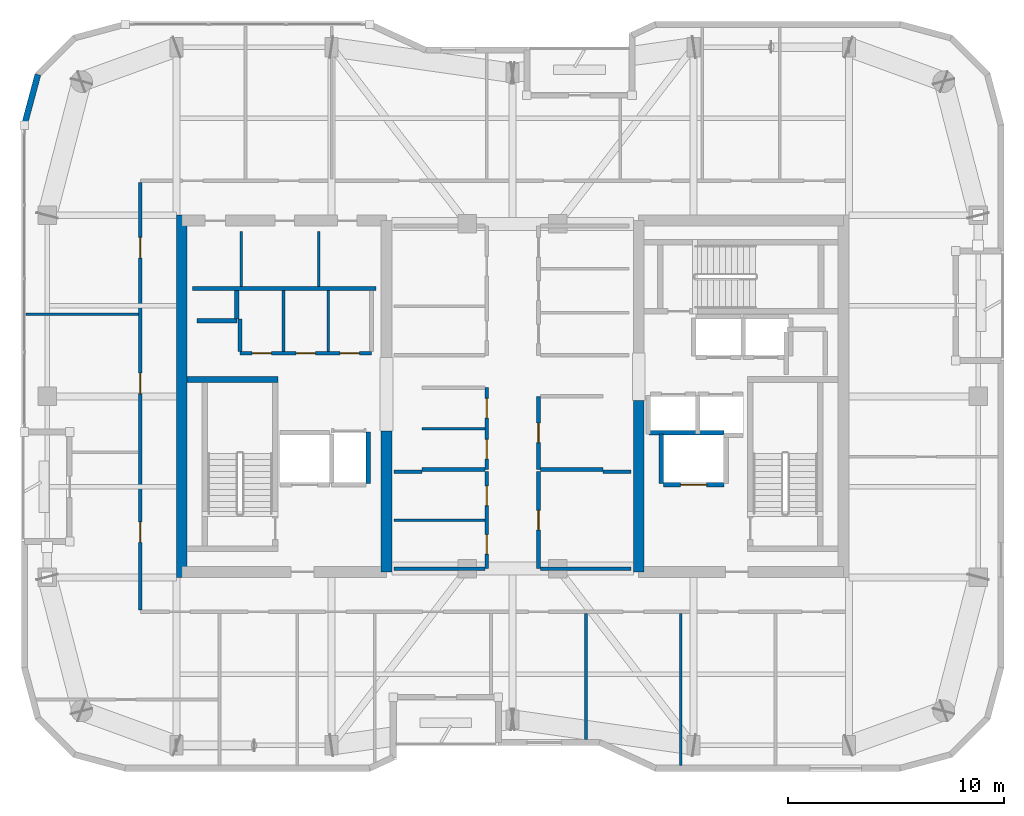
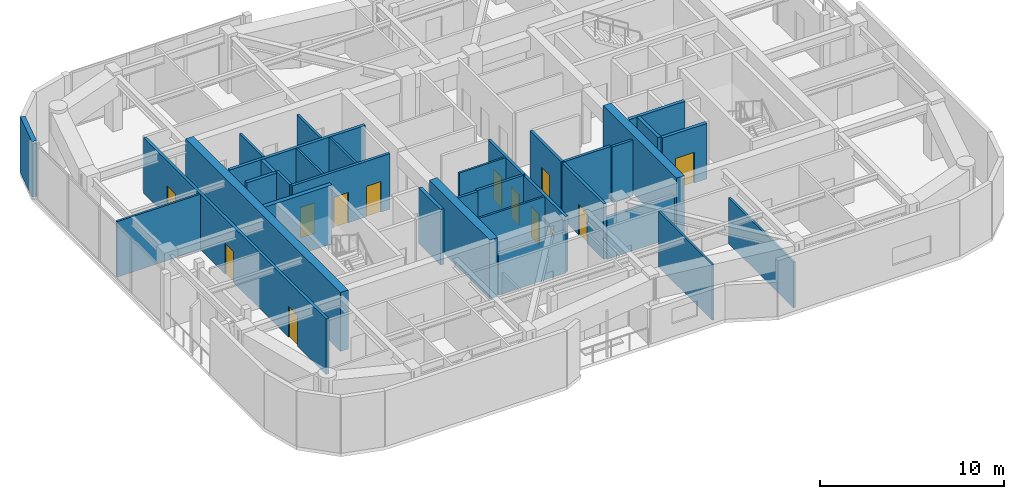
# One storey, part 11 of 16: 34 walls, 13 doors, 13 openings.
"""IFC4 building model written with IfcOpenShell, lengths in metres."""

from ifc_helpers import new_model, si_unit, direction, frame, frame_2d, origin, place, context, subcontext, project, spatial, rectangle, extrude, material, layer, layer_set, type_object, element, fill, save


model = new_model("IFC4")

# Units and contexts
model_context = context("Model", 3, precision=1e-05, world=origin(), true_north=direction((0.0, 1.0)))
body_context = subcontext(model_context, "Body", "Model", "MODEL_VIEW")
ifc_project = project(units=[si_unit("LENGTHUNIT", "METRE"), si_unit("AREAUNIT", "SQUARE_METRE"), si_unit("VOLUMEUNIT", "CUBIC_METRE"), si_unit("PLANEANGLEUNIT", "RADIAN"), si_unit("MASSUNIT", "GRAM", prefix="KILO")], contexts=[model_context])

# Site, building, storey
site_placement = place(None, origin())
site = spatial("IfcSite", under=ifc_project, at=site_placement, CompositionType="ELEMENT")
building_placement = place(site_placement, origin())
building = spatial("IfcBuilding", under=site, at=building_placement, Name="Kiyonajd Concourse Tower", CompositionType="ELEMENT")
storey_placement = place(building_placement, frame((0.0, 0.0, 306.300048828125)))
storey = spatial("IfcBuildingStorey", under=building, at=storey_placement, Name="L77", CompositionType="ELEMENT", Elevation=306.300048828125)

# Walls
ifc_material_1 = material(Name="Concrete C60/75", Category="concrete")
ifc_layer_1 = layer(ifc_material_1, 0.5)
ifc_layer_set_1 = layer_set([ifc_layer_1], Name="Concrete C60/75")
wall_type_1 = type_object("IfcWallType", Name="WL-CORE-500", PredefinedType="SHEAR", material=ifc_layer_set_1)
wall_1_placement = place(storey_placement, frame((32.64990234375, 27.60009765625, 0.0), z_axis=(0.0, 0.0, 1.0), x_axis=(0.0, 1.0, 0.0)))
element("IfcWall", 1, at=wall_1_placement, inside=storey, type_object=wall_type_1, Name="L77 West Core Outer Shear Wall", PredefinedType="SHEAR", context=body_context, shape_type="SweptSolid", body=[
    extrude(rectangle(XDim=16.7998046875, YDim=0.5, at=frame_2d((8.39990234375, 0.0))), origin(), (0.0, 0.0, 1.0), 3.89990234375),
])
wall_2_placement = place(storey_placement, frame((42.14990234375, 27.85009765625, 0.0), z_axis=(0.0, 0.0, 1.0), x_axis=(0.0, 1.0, 0.0)))
element("IfcWall", 2, at=wall_2_placement, inside=storey, type_object=wall_type_1, Name="L77 West Core Inner South Shear Wall", PredefinedType="SHEAR", context=body_context, shape_type="SweptSolid", body=[
    extrude(rectangle(XDim=6.5498046875, YDim=0.5, at=frame_2d((3.27490234375, 0.0))), origin(), (0.0, 0.0, 1.0), 3.89990234375),
])
wall_3_placement = place(storey_placement, frame((53.85009765625, 27.85009765625, 0.0), z_axis=(0.0, 0.0, 1.0), x_axis=(0.0, 1.0, 0.0)))
element("IfcWall", 3, at=wall_3_placement, inside=storey, type_object=wall_type_1, Name="L77 East Core Inner South Shear Wall", PredefinedType="SHEAR", context=body_context, shape_type="SweptSolid", body=[
    extrude(rectangle(XDim=7.949951171875, YDim=0.5, at=frame_2d((3.97509765625, 0.0))), origin(), (0.0, 0.0, 1.0), 3.89990234375),
])
ifc_material_2 = material(Name="Precast concrete C50/60", Category="concrete")
ifc_layer_2 = layer(ifc_material_2, 0.280029296875)
ifc_layer_set_2 = layer_set([ifc_layer_2], Name="Precast concrete C50/60")
wall_type_2 = type_object("IfcWallType", Name="WL-EXT-280", PredefinedType="SOLIDWALL", material=ifc_layer_set_2)
wall_4_placement = place(storey_placement, frame((25.340087890625, 48.58154296875, 0.0), z_axis=(0.0, 0.0, 1.0), x_axis=(0.258751159445, 0.965944013639, 0.0)))
element("IfcWall", 4, at=wall_4_placement, inside=storey, type_object=wall_type_2, Name="L77 Exterior Concrete Frame Wall 06", PredefinedType="SOLIDWALL", context=body_context, shape_type="SweptSolid", body=[
    extrude(rectangle(XDim=2.4287109375, YDim=0.280029296875, at=frame_2d((1.21435546875, 0.0))), origin(), (0.0, 0.0, 1.0), 3.679931640625),
])
ifc_material_3 = material(Name="Gypsum Board on Cold-Formed Steel Stud", Category="steel")
ifc_layer_3 = layer(ifc_material_3, 0.125)
ifc_layer_set_3 = layer_set([ifc_layer_3], Name="Gypsum Board on Cold-Formed Steel Stud")
wall_type_3 = type_object("IfcWallType", Name="WL-PART-125", PredefinedType="PARTITIONING", material=ifc_layer_set_3)
for number, where, z_axis, x_axis, name in (
    (5, (35.39990234375, 41.094970703125, 0.0), (0.0, 0.0, 1.0), (0.0, 1.0, 0.0), "L77 Interior Partition Wall"),
    (6, (39.0, 41.094970703125, 0.0), (0.0, 0.0, 1.0), (0.0, 1.0, 0.0), "L77 Interior Partition Wall"),
):
    element("IfcWall", number, at=place(storey_placement, frame(where, z_axis=z_axis, x_axis=x_axis)), inside=storey, type_object=wall_type_3, Name=name, PredefinedType="PARTITIONING", context=body_context, shape_type="SweptSolid", body=[
        extrude(rectangle(XDim=2.554931640625, YDim=0.125, at=frame_2d((1.27734375, 0.0))), origin(), (0.0, 0.0, 1.0), 3.679931640625),
    ])
for number, where, z_axis, x_axis, name in (
    (7, (37.363037109375, 38.0869140625, 0.0), (0.0, 0.0, 1.0), (0.0, 1.0, 0.0), "L77 Interior Partition Wall"),
    (8, (39.43701171875, 38.0869140625, 0.0), (0.0, 0.0, 1.0), (0.0, 1.0, 0.0), "L77 Interior Partition Wall"),
):
    element("IfcWall", number, at=place(storey_placement, frame(where, z_axis=z_axis, x_axis=x_axis)), inside=storey, type_object=wall_type_3, Name=name, PredefinedType="PARTITIONING", context=body_context, shape_type="SweptSolid", body=[
        extrude(rectangle(XDim=2.81298828125, YDim=0.125, at=frame_2d((1.406494140625, 0.0))), origin(), (0.0, 0.0, 1.0), 3.679931640625),
    ])
wall_5_placement = place(storey_placement, frame((43.800048828125, 34.5, 0.0), z_axis=(0.0, 0.0, 1.0), x_axis=(1.0, 0.0, 0.0)))
element("IfcWall", 9, at=wall_5_placement, inside=storey, type_object=wall_type_3, Name="L77 Interior Partition Wall", PredefinedType="PARTITIONING", context=body_context, shape_type="SweptSolid", body=[
    extrude(rectangle(XDim=2.912841796875, YDim=0.125, at=frame_2d((1.45654296875, 0.0))), origin(), (0.0, 0.0, 1.0), 3.679931640625),
])
wall_6_placement = place(storey_placement, frame((42.5, 30.25, 0.0), z_axis=(0.0, 0.0, 1.0), x_axis=(1.0, 0.0, 0.0)))
element("IfcWall", 10, at=wall_6_placement, inside=storey, type_object=wall_type_3, Name="L77 Interior Partition Wall", PredefinedType="PARTITIONING", context=body_context, shape_type="SweptSolid", body=[
    extrude(rectangle(XDim=4.212890625, YDim=0.125, at=frame_2d((2.1064453125, 0.0))), origin(), (0.0, 0.0, 1.0), 3.679931640625),
])
wall_7_placement = place(storey_placement, frame((51.39990234375, 20.074951171875, 0.0), z_axis=(0.0, 0.0, 1.0), x_axis=(0.0, 1.0, 0.0)))
element("IfcWall", 11, at=wall_7_placement, inside=storey, type_object=wall_type_3, Name="L77 Interior Partition Wall", PredefinedType="PARTITIONING", context=body_context, shape_type="SweptSolid", body=[
    extrude(rectangle(XDim=5.838134765625, YDim=0.125, at=frame_2d((2.9189453125, 0.0))), origin(), (0.0, 0.0, 1.0), 3.679931640625),
])
wall_8_placement = place(storey_placement, frame((55.800048828125, 18.875, 0.0), z_axis=(0.0, 0.0, 1.0), x_axis=(0.0, 1.0, 0.0)))
element("IfcWall", 12, at=wall_8_placement, inside=storey, type_object=wall_type_3, Name="L77 Interior Partition Wall", PredefinedType="PARTITIONING", context=body_context, shape_type="SweptSolid", body=[
    extrude(rectangle(XDim=7.0380859375, YDim=0.125, at=frame_2d((3.51904296875, 0.0))), origin(), (0.0, 0.0, 1.0), 3.04296875),
])
wall_9_placement = place(storey_placement, frame((25.425048828125, 39.800048828125, 0.0), z_axis=(0.0, 0.0, 1.0), x_axis=(1.0, 0.0, 0.0)))
element("IfcWall", 13, at=wall_9_placement, inside=storey, type_object=wall_type_3, Name="L77 Interior Partition Wall", PredefinedType="PARTITIONING", context=body_context, shape_type="SweptSolid", body=[
    extrude(rectangle(XDim=5.212890625, YDim=0.125, at=frame_2d((2.6064453125, 0.0))), origin(), (0.0, 0.0, 1.0), 3.679931640625),
])
ifc_layer_4 = layer(ifc_material_3, 0.18994140625)
ifc_layer_set_4 = layer_set([ifc_layer_4], Name="Gypsum Board on Cold-Formed Steel Stud")
wall_type_4 = type_object("IfcWallType", Name="WL-PLMB-190", PredefinedType="PLUMBINGWALL", material=ifc_layer_set_4)
wall_10_placement = place(storey_placement, frame((33.14990234375, 41.0, 0.0), z_axis=(0.0, 0.0, 1.0), x_axis=(1.0, 0.0, 0.0)))
element("IfcWall", 14, at=wall_10_placement, inside=storey, type_object=wall_type_4, Name="L77 Interior Partition Wall", PredefinedType="PLUMBINGWALL", context=body_context, shape_type="SweptSolid", body=[
    extrude(rectangle(XDim=8.5, YDim=0.18994140625, at=frame_2d((4.25, 0.0))), origin(), (0.0, 0.0, 1.0), 3.679931640625),
])
ifc_layer_5 = layer(ifc_material_3, 0.2099609375)
ifc_layer_set_5 = layer_set([ifc_layer_5], Name="Gypsum Board on Cold-Formed Steel Stud")
wall_type_5 = type_object("IfcWallType", Name="WL-SHAFT-210", PredefinedType="PARTITIONING", material=ifc_layer_set_5)
wall_11_placement = place(storey_placement, frame((33.360107421875, 39.5, 0.0), z_axis=(0.0, 0.0, 1.0), x_axis=(1.0, 0.0, 0.0)))
element("IfcWall", 15, at=wall_11_placement, inside=storey, type_object=wall_type_5, Name="L77 Shaft Enclosure Wall", PredefinedType="PARTITIONING", context=body_context, shape_type="SweptSolid", body=[
    extrude(rectangle(XDim=1.85986328125, YDim=0.2099609375, at=frame_2d((0.929931640625, 0.0))), origin(), (0.0, 0.0, 1.0), 3.679931640625),
])
wall_12_placement = place(storey_placement, frame((35.199951171875, 39.580078125, 0.0), z_axis=(0.0, 0.0, 1.0), x_axis=(0.0, 1.0, 0.0)))
element("IfcWall", 16, at=wall_12_placement, inside=storey, type_object=wall_type_5, Name="L77 Shaft Enclosure Wall", PredefinedType="PARTITIONING", context=body_context, shape_type="SweptSolid", body=[
    extrude(rectangle(XDim=1.31982421875, YDim=0.2099609375, at=frame_2d((0.659912109375, 0.0))), origin(), (0.0, 0.0, 1.0), 3.679931640625),
])

# Wall, opening, door
wall_13_placement = place(storey_placement, frame((55.0, 31.89990234375, 0.0), z_axis=(0.0, 0.0, 1.0), x_axis=(1.0, 0.0, 0.0)))
wall_13 = element("IfcWall", 17, at=wall_13_placement, inside=storey, type_object=wall_type_5, Name="L77 Shaft Enclosure Wall", PredefinedType="PARTITIONING", context=body_context, shape_type="SweptSolid", body=[
    extrude(rectangle(XDim=2.800048828125, YDim=0.2099609375, at=frame_2d((1.39990234375, 0.0))), origin(), (0.0, 0.0, 1.0), 3.679931640625),
])
opening_1_placement = place(wall_13_placement, frame((0.800048828125, 0.0, 0.0)))
opening_1 = element("IfcOpeningElement", 18, at=opening_1_placement, cuts=wall_13, Name="Opening LD2", PredefinedType="OPENING", context=body_context, shape_type="SweptSolid", body=[
    extrude(rectangle(XDim=1.199951171875, YDim=2.0400390625, at=frame_2d((0.60009765625, 1.02001953125))), frame((0.0, 0.114990234375, 0.0), z_axis=(0.0, -1.0, 0.0), x_axis=(1.0, 0.0, 0.0)), (0.0, 0.0, 1.0), 0.22998046875),
])
ifc_material_4 = material(Name="Brushed Stainless Steel Cab Assembly", Category="steel")
door_type_1 = type_object("IfcDoorType", Name="DR-LD-1200", OperationType="DOUBLE_DOOR_SLIDING", PredefinedType="DOOR", material=ifc_material_4)
door_1_placement = place(opening_1_placement, origin())
door_1 = element("IfcDoor", 19, at=door_1_placement, inside=storey, type_object=door_type_1, Name="L77 Lift FFL2 Sliding Landing Door", OperationType="DOUBLE_DOOR_SLIDING", OverallHeight=2.0400390625, OverallWidth=1.199951171875, PredefinedType="DOOR", context=body_context, shape_type="SweptSolid", body=[
    extrude(rectangle(XDim=1.199951171875, YDim=2.0400390625, at=frame_2d((0.60009765625, 1.02001953125))), frame((0.0, 0.02490234375, 0.0), z_axis=(0.0, -1.0, 0.0), x_axis=(1.0, 0.0, 0.0)), (0.0, 0.0, 1.0), 0.050048828125),
])
fill(opening_1, door_1)

# Walls
wall_14_placement = place(storey_placement, frame((54.320068359375, 34.300048828125, 0.0), z_axis=(0.0, 0.0, 1.0), x_axis=(1.0, 0.0, 0.0)))
element("IfcWall", 20, at=wall_14_placement, inside=storey, type_object=wall_type_5, Name="L77 Shaft Enclosure Wall", PredefinedType="PARTITIONING", context=body_context, shape_type="SweptSolid", body=[
    extrude(rectangle(XDim=3.47998046875, YDim=0.2099609375, at=frame_2d((1.739990234375, 0.0))), origin(), (0.0, 0.0, 1.0), 3.679931640625),
])
wall_15_placement = place(storey_placement, frame((54.89990234375, 31.9599609375, 0.0), z_axis=(0.0, 0.0, 1.0), x_axis=(0.0, 1.0, 0.0)))
element("IfcWall", 21, at=wall_15_placement, inside=storey, type_object=wall_type_5, Name="L77 Shaft Enclosure Wall", PredefinedType="PARTITIONING", context=body_context, shape_type="SweptSolid", body=[
    extrude(rectangle(XDim=2.280029296875, YDim=0.2099609375, at=frame_2d((1.14013671875, 0.0))), origin(), (0.0, 0.0, 1.0), 3.679931640625),
])
wall_16_placement = place(storey_placement, frame((41.300048828125, 31.9599609375, 0.0), z_axis=(0.0, 0.0, 1.0), x_axis=(0.0, 1.0, 0.0)))
element("IfcWall", 22, at=wall_16_placement, inside=storey, type_object=wall_type_5, Name="L77 Shaft Enclosure Wall", PredefinedType="PARTITIONING", context=body_context, shape_type="SweptSolid", body=[
    extrude(rectangle(XDim=2.380126953125, YDim=0.2099609375, at=frame_2d((1.18994140625, 0.0))), origin(), (0.0, 0.0, 1.0), 3.679931640625),
])

# Wall, openings, doors
ifc_layer_6 = layer(ifc_material_3, 0.169921875)
ifc_layer_set_6 = layer_set([ifc_layer_6], Name="Gypsum Board on Cold-Formed Steel Stud")
wall_type_6 = type_object("IfcWallType", Name="WL-SMK-170", PredefinedType="PARTITIONING", material=ifc_layer_set_6)
wall_17_placement = place(storey_placement, frame((35.35009765625, 38.0, 0.0), z_axis=(0.0, 0.0, 1.0), x_axis=(1.0, 0.0, 0.0)))
wall_17 = element("IfcWall", 23, at=wall_17_placement, inside=storey, type_object=wall_type_6, Name="L77 Interior Partition Wall", PredefinedType="PARTITIONING", context=body_context, shape_type="SweptSolid", body=[
    extrude(rectangle(XDim=6.099853515625, YDim=0.169921875, at=frame_2d((3.0498046875, 0.0))), origin(), (0.0, 0.0, 1.0), 3.679931640625),
])
opening_2_placement = place(wall_17_placement, frame((0.555908203125, 0.0, 0.0)))
opening_2 = element("IfcOpeningElement", 24, at=opening_2_placement, cuts=wall_17, Name="Opening DI2", PredefinedType="OPENING", context=body_context, shape_type="SweptSolid", body=[
    extrude(rectangle(XDim=0.89990234375, YDim=2.02001953125, at=frame_2d((0.449951171875, 1.010009765625))), frame((0.0, 0.094970703125, 0.0), z_axis=(0.0, -1.0, 0.0), x_axis=(1.0, 0.0, 0.0)), (0.0, 0.0, 1.0), 0.18994140625),
])
opening_3_placement = place(wall_17_placement, frame((2.60009765625, 0.0, 0.0)))
opening_3 = element("IfcOpeningElement", 25, at=opening_3_placement, cuts=wall_17, Name="Opening DI2", PredefinedType="OPENING", context=body_context, shape_type="SweptSolid", body=[
    extrude(rectangle(XDim=0.89990234375, YDim=2.02001953125, at=frame_2d((0.449951171875, 1.010009765625))), frame((0.0, 0.094970703125, 0.0), z_axis=(0.0, -1.0, 0.0), x_axis=(1.0, 0.0, 0.0)), (0.0, 0.0, 1.0), 0.18994140625),
])
opening_4_placement = place(wall_17_placement, frame((4.64306640625, 0.0, 0.0)))
opening_4 = element("IfcOpeningElement", 26, at=opening_4_placement, cuts=wall_17, Name="Opening DI2", PredefinedType="OPENING", context=body_context, shape_type="SweptSolid", body=[
    extrude(rectangle(XDim=0.89990234375, YDim=2.02001953125, at=frame_2d((0.449951171875, 1.010009765625))), frame((0.0, 0.094970703125, 0.0), z_axis=(0.0, -1.0, 0.0), x_axis=(1.0, 0.0, 0.0)), (0.0, 0.0, 1.0), 0.18994140625),
])
ifc_material_5 = material(Name="Natural Oak Acoustic Timber Veneer", Category="wood")
door_type_2 = type_object("IfcDoorType", Name="DR-INT-900", OperationType="NOTDEFINED", PredefinedType="DOOR", material=ifc_material_5)
door_2_placement = place(opening_2_placement, origin())
door_2 = element("IfcDoor", 27, at=door_2_placement, inside=storey, type_object=door_type_2, Name="L77 Interior Door", OperationType="SINGLE_SWING_LEFT", OverallHeight=2.02001953125, OverallWidth=0.89990234375, PredefinedType="DOOR", context=body_context, shape_type="SweptSolid", body=[
    extrude(rectangle(XDim=0.89990234375, YDim=2.02001953125, at=frame_2d((0.449951171875, 1.010009765625))), frame((0.0, 0.02490234375, 0.0), z_axis=(0.0, -1.0, 0.0), x_axis=(1.0, 0.0, 0.0)), (0.0, 0.0, 1.0), 0.050048828125),
])
fill(opening_2, door_2)
door_3_placement = place(opening_3_placement, origin())
door_3 = element("IfcDoor", 28, at=door_3_placement, inside=storey, type_object=door_type_2, Name="L77 Interior Door", OperationType="SINGLE_SWING_RIGHT", OverallHeight=2.02001953125, OverallWidth=0.89990234375, PredefinedType="DOOR", context=body_context, shape_type="SweptSolid", body=[
    extrude(rectangle(XDim=0.89990234375, YDim=2.02001953125, at=frame_2d((0.449951171875, 1.010009765625))), frame((0.0, 0.02490234375, 0.0), z_axis=(0.0, -1.0, 0.0), x_axis=(1.0, 0.0, 0.0)), (0.0, 0.0, 1.0), 0.050048828125),
])
fill(opening_3, door_3)
door_4_placement = place(opening_4_placement, origin())
door_4 = element("IfcDoor", 29, at=door_4_placement, inside=storey, type_object=door_type_2, Name="L77 Interior Door", OperationType="SINGLE_SWING_LEFT", OverallHeight=2.02001953125, OverallWidth=0.89990234375, PredefinedType="DOOR", context=body_context, shape_type="SweptSolid", body=[
    extrude(rectangle(XDim=0.89990234375, YDim=2.02001953125, at=frame_2d((0.449951171875, 1.010009765625))), frame((0.0, 0.02490234375, 0.0), z_axis=(0.0, -1.0, 0.0), x_axis=(1.0, 0.0, 0.0)), (0.0, 0.0, 1.0), 0.050048828125),
])
fill(opening_4, door_4)

# Wall
wall_18_placement = place(storey_placement, frame((35.35009765625, 38.0869140625, 0.0), z_axis=(0.0, 0.0, 1.0), x_axis=(0.0, 1.0, 0.0)))
element("IfcWall", 30, at=wall_18_placement, inside=storey, type_object=wall_type_6, Name="L77 Interior Partition Wall", PredefinedType="PARTITIONING", context=body_context, shape_type="SweptSolid", body=[
    extrude(rectangle(XDim=1.4931640625, YDim=0.169921875, at=frame_2d((0.74658203125, 0.0))), origin(), (0.0, 0.0, 1.0), 3.679931640625),
])

# Wall, openings, doors
wall_19_placement = place(storey_placement, frame((46.800048828125, 32.60009765625, 0.0), z_axis=(0.0, 0.0, 1.0), x_axis=(0.0, 1.0, 0.0)))
wall_19 = element("IfcWall", 31, at=wall_19_placement, inside=storey, type_object=wall_type_6, Name="L77 Interior Partition Wall", PredefinedType="PARTITIONING", context=body_context, shape_type="SweptSolid", body=[
    extrude(rectangle(XDim=3.7998046875, YDim=0.169921875, at=frame_2d((1.89990234375, 0.0))), origin(), (0.0, 0.0, 1.0), 3.679931640625),
])
opening_5_placement = place(wall_19_placement, frame((0.5, 0.0, 0.0)))
opening_5 = element("IfcOpeningElement", 32, at=opening_5_placement, cuts=wall_19, Name="Opening DI2", PredefinedType="OPENING", context=body_context, shape_type="SweptSolid", body=[
    extrude(rectangle(XDim=0.89990234375, YDim=2.02001953125, at=frame_2d((0.449951171875, 1.010009765625))), frame((0.0, 0.094970703125, 0.0), z_axis=(0.0, -1.0, 0.0), x_axis=(1.0, 0.0, 0.0)), (0.0, 0.0, 1.0), 0.18994140625),
])
opening_6_placement = place(wall_19_placement, frame((2.39990234375, 0.0, 0.0)))
opening_6 = element("IfcOpeningElement", 33, at=opening_6_placement, cuts=wall_19, Name="Opening DI2", PredefinedType="OPENING", context=body_context, shape_type="SweptSolid", body=[
    extrude(rectangle(XDim=0.89990234375, YDim=2.02001953125, at=frame_2d((0.449951171875, 1.010009765625))), frame((0.0, 0.094970703125, 0.0), z_axis=(0.0, -1.0, 0.0), x_axis=(1.0, 0.0, 0.0)), (0.0, 0.0, 1.0), 0.18994140625),
])
door_5_placement = place(opening_5_placement, origin())
door_5 = element("IfcDoor", 34, at=door_5_placement, inside=storey, type_object=door_type_2, Name="L77 Interior Door", OperationType="SINGLE_SWING_RIGHT", OverallHeight=2.02001953125, OverallWidth=0.89990234375, PredefinedType="DOOR", context=body_context, shape_type="SweptSolid", body=[
    extrude(rectangle(XDim=0.89990234375, YDim=2.02001953125, at=frame_2d((0.449951171875, 1.010009765625))), frame((0.0, 0.02490234375, 0.0), z_axis=(0.0, -1.0, 0.0), x_axis=(1.0, 0.0, 0.0)), (0.0, 0.0, 1.0), 0.050048828125),
])
fill(opening_5, door_5)
door_6_placement = place(opening_6_placement, origin())
door_6 = element("IfcDoor", 35, at=door_6_placement, inside=storey, type_object=door_type_2, Name="L77 Interior Door", OperationType="SINGLE_SWING_LEFT", OverallHeight=2.02001953125, OverallWidth=0.89990234375, PredefinedType="DOOR", context=body_context, shape_type="SweptSolid", body=[
    extrude(rectangle(XDim=0.89990234375, YDim=2.02001953125, at=frame_2d((0.449951171875, 1.010009765625))), frame((0.0, 0.02490234375, 0.0), z_axis=(0.0, -1.0, 0.0), x_axis=(1.0, 0.0, 0.0)), (0.0, 0.0, 1.0), 0.050048828125),
])
fill(opening_6, door_6)

# Wall
wall_20_placement = place(storey_placement, frame((43.800048828125, 32.60009765625, 0.0), z_axis=(0.0, 0.0, 1.0), x_axis=(1.0, 0.0, 0.0)))
element("IfcWall", 36, at=wall_20_placement, inside=storey, type_object=wall_type_6, Name="L77 Interior Partition Wall", PredefinedType="PARTITIONING", context=body_context, shape_type="SweptSolid", body=[
    extrude(rectangle(XDim=2.912841796875, YDim=0.169921875, at=frame_2d((1.45654296875, 0.0))), origin(), (0.0, 0.0, 1.0), 3.679931640625),
])

# Wall, opening, door
wall_21_placement = place(storey_placement, frame((49.199951171875, 32.60009765625, 0.0), z_axis=(0.0, 0.0, 1.0), x_axis=(0.0, 1.0, 0.0)))
wall_21 = element("IfcWall", 37, at=wall_21_placement, inside=storey, type_object=wall_type_6, Name="L77 Interior Partition Wall", PredefinedType="PARTITIONING", context=body_context, shape_type="SweptSolid", body=[
    extrude(rectangle(XDim=3.39990234375, YDim=0.169921875, at=frame_2d((1.699951171875, 0.0))), origin(), (0.0, 0.0, 1.0), 3.679931640625),
])
opening_7_placement = place(wall_21_placement, frame((1.25, 0.0, 0.0)))
opening_7 = element("IfcOpeningElement", 38, at=opening_7_placement, cuts=wall_21, Name="Opening DI2", PredefinedType="OPENING", context=body_context, shape_type="SweptSolid", body=[
    extrude(rectangle(XDim=0.89990234375, YDim=2.02001953125, at=frame_2d((0.449951171875, 1.010009765625))), frame((0.0, 0.094970703125, 0.0), z_axis=(0.0, -1.0, 0.0), x_axis=(1.0, 0.0, 0.0)), (0.0, 0.0, 1.0), 0.18994140625),
])
door_7_placement = place(opening_7_placement, origin())
door_7 = element("IfcDoor", 39, at=door_7_placement, inside=storey, type_object=door_type_2, Name="L77 Interior Door", OperationType="SINGLE_SWING_RIGHT", OverallHeight=2.02001953125, OverallWidth=0.89990234375, PredefinedType="DOOR", context=body_context, shape_type="SweptSolid", body=[
    extrude(rectangle(XDim=0.89990234375, YDim=2.02001953125, at=frame_2d((0.449951171875, 1.010009765625))), frame((0.0, 0.02490234375, 0.0), z_axis=(0.0, -1.0, 0.0), x_axis=(1.0, 0.0, 0.0)), (0.0, 0.0, 1.0), 0.050048828125),
])
fill(opening_7, door_7)

# Wall
wall_22_placement = place(storey_placement, frame((49.287109375, 32.60009765625, 0.0), z_axis=(0.0, 0.0, 1.0), x_axis=(1.0, 0.0, 0.0)))
element("IfcWall", 40, at=wall_22_placement, inside=storey, type_object=wall_type_6, Name="L77 Interior Partition Wall", PredefinedType="PARTITIONING", context=body_context, shape_type="SweptSolid", body=[
    extrude(rectangle(XDim=2.912841796875, YDim=0.169921875, at=frame_2d((1.45654296875, 0.0))), origin(), (0.0, 0.0, 1.0), 3.679931640625),
])

# Wall, openings, doors
wall_23_placement = place(storey_placement, frame((46.800048828125, 28.0, 0.0), z_axis=(0.0, 0.0, 1.0), x_axis=(0.0, 1.0, 0.0)))
wall_23 = element("IfcWall", 41, at=wall_23_placement, inside=storey, type_object=wall_type_6, Name="L77 Interior Partition Wall", PredefinedType="PARTITIONING", context=body_context, shape_type="SweptSolid", body=[
    extrude(rectangle(XDim=4.5, YDim=0.169921875, at=frame_2d((2.25, 0.0))), origin(), (0.0, 0.0, 1.0), 3.679931640625),
])
opening_8_placement = place(wall_23_placement, frame((0.675048828125, 0.0, 0.0)))
opening_8 = element("IfcOpeningElement", 42, at=opening_8_placement, cuts=wall_23, Name="Opening DI2", PredefinedType="OPENING", context=body_context, shape_type="SweptSolid", body=[
    extrude(rectangle(XDim=0.89990234375, YDim=2.02001953125, at=frame_2d((0.449951171875, 1.010009765625))), frame((0.0, 0.094970703125, 0.0), z_axis=(0.0, -1.0, 0.0), x_axis=(1.0, 0.0, 0.0)), (0.0, 0.0, 1.0), 0.18994140625),
])
opening_9_placement = place(wall_23_placement, frame((2.925048828125, 0.0, 0.0)))
opening_9 = element("IfcOpeningElement", 43, at=opening_9_placement, cuts=wall_23, Name="Opening DI2", PredefinedType="OPENING", context=body_context, shape_type="SweptSolid", body=[
    extrude(rectangle(XDim=0.89990234375, YDim=2.02001953125, at=frame_2d((0.449951171875, 1.010009765625))), frame((0.0, 0.094970703125, 0.0), z_axis=(0.0, -1.0, 0.0), x_axis=(1.0, 0.0, 0.0)), (0.0, 0.0, 1.0), 0.18994140625),
])
door_8_placement = place(opening_8_placement, origin())
door_8 = element("IfcDoor", 44, at=door_8_placement, inside=storey, type_object=door_type_2, Name="L77 Interior Door", OperationType="SINGLE_SWING_LEFT", OverallHeight=2.02001953125, OverallWidth=0.89990234375, PredefinedType="DOOR", context=body_context, shape_type="SweptSolid", body=[
    extrude(rectangle(XDim=0.89990234375, YDim=2.02001953125, at=frame_2d((0.449951171875, 1.010009765625))), frame((0.0, 0.02490234375, 0.0), z_axis=(0.0, -1.0, 0.0), x_axis=(1.0, 0.0, 0.0)), (0.0, 0.0, 1.0), 0.050048828125),
])
fill(opening_8, door_8)
door_9_placement = place(opening_9_placement, origin())
door_9 = element("IfcDoor", 45, at=door_9_placement, inside=storey, type_object=door_type_2, Name="L77 Interior Door", OperationType="SINGLE_SWING_RIGHT", OverallHeight=2.02001953125, OverallWidth=0.89990234375, PredefinedType="DOOR", context=body_context, shape_type="SweptSolid", body=[
    extrude(rectangle(XDim=0.89990234375, YDim=2.02001953125, at=frame_2d((0.449951171875, 1.010009765625))), frame((0.0, 0.02490234375, 0.0), z_axis=(0.0, -1.0, 0.0), x_axis=(1.0, 0.0, 0.0)), (0.0, 0.0, 1.0), 0.050048828125),
])
fill(opening_9, door_9)

# Walls
wall_24_placement = place(storey_placement, frame((42.5, 28.0, 0.0), z_axis=(0.0, 0.0, 1.0), x_axis=(1.0, 0.0, 0.0)))
element("IfcWall", 46, at=wall_24_placement, inside=storey, type_object=wall_type_6, Name="L77 Interior Partition Wall", PredefinedType="PARTITIONING", context=body_context, shape_type="SweptSolid", body=[
    extrude(rectangle(XDim=4.212890625, YDim=0.169921875, at=frame_2d((2.1064453125, 0.0))), origin(), (0.0, 0.0, 1.0), 2.764892578125),
])
wall_25_placement = place(storey_placement, frame((42.5, 32.5, 0.0), z_axis=(0.0, 0.0, 1.0), x_axis=(1.0, 0.0, 0.0)))
element("IfcWall", 47, at=wall_25_placement, inside=storey, type_object=wall_type_6, Name="L77 Interior Partition Wall", PredefinedType="PARTITIONING", context=body_context, shape_type="SweptSolid", body=[
    extrude(rectangle(XDim=1.300048828125, YDim=0.169921875, at=frame_2d((0.64990234375, 0.0))), origin(), (0.0, 0.0, 1.0), 3.679931640625),
])

# Wall, opening, door
wall_26_placement = place(storey_placement, frame((49.199951171875, 28.0, 0.0), z_axis=(0.0, 0.0, 1.0), x_axis=(0.0, 1.0, 0.0)))
wall_26 = element("IfcWall", 48, at=wall_26_placement, inside=storey, type_object=wall_type_6, Name="L77 Interior Partition Wall", PredefinedType="PARTITIONING", context=body_context, shape_type="SweptSolid", body=[
    extrude(rectangle(XDim=4.5, YDim=0.169921875, at=frame_2d((2.25, 0.0))), origin(), (0.0, 0.0, 1.0), 3.679931640625),
])
opening_10_placement = place(wall_26_placement, frame((1.800048828125, 0.0, 0.0)))
opening_10 = element("IfcOpeningElement", 49, at=opening_10_placement, cuts=wall_26, Name="Opening DI2", PredefinedType="OPENING", context=body_context, shape_type="SweptSolid", body=[
    extrude(rectangle(XDim=0.89990234375, YDim=2.02001953125, at=frame_2d((0.449951171875, 1.010009765625))), frame((0.0, 0.094970703125, 0.0), z_axis=(0.0, -1.0, 0.0), x_axis=(1.0, 0.0, 0.0)), (0.0, 0.0, 1.0), 0.18994140625),
])
door_10_placement = place(opening_10_placement, origin())
door_10 = element("IfcDoor", 50, at=door_10_placement, inside=storey, type_object=door_type_2, Name="L77 Interior Door", OperationType="SINGLE_SWING_LEFT", OverallHeight=2.02001953125, OverallWidth=0.89990234375, PredefinedType="DOOR", context=body_context, shape_type="SweptSolid", body=[
    extrude(rectangle(XDim=0.89990234375, YDim=2.02001953125, at=frame_2d((0.449951171875, 1.010009765625))), frame((0.0, 0.02490234375, 0.0), z_axis=(0.0, -1.0, 0.0), x_axis=(1.0, 0.0, 0.0)), (0.0, 0.0, 1.0), 0.050048828125),
])
fill(opening_10, door_10)

# Walls
wall_27_placement = place(storey_placement, frame((49.287109375, 28.0, 0.0), z_axis=(0.0, 0.0, 1.0), x_axis=(1.0, 0.0, 0.0)))
element("IfcWall", 51, at=wall_27_placement, inside=storey, type_object=wall_type_6, Name="L77 Interior Partition Wall", PredefinedType="PARTITIONING", context=body_context, shape_type="SweptSolid", body=[
    extrude(rectangle(XDim=4.212890625, YDim=0.169921875, at=frame_2d((2.1064453125, 0.0))), origin(), (0.0, 0.0, 1.0), 2.764892578125),
])
wall_28_placement = place(storey_placement, frame((52.199951171875, 32.5, 0.0), z_axis=(0.0, 0.0, 1.0), x_axis=(1.0, 0.0, 0.0)))
element("IfcWall", 52, at=wall_28_placement, inside=storey, type_object=wall_type_6, Name="L77 Interior Partition Wall", PredefinedType="PARTITIONING", context=body_context, shape_type="SweptSolid", body=[
    extrude(rectangle(XDim=1.300048828125, YDim=0.169921875, at=frame_2d((0.64990234375, 0.0))), origin(), (0.0, 0.0, 1.0), 3.679931640625),
])

# Wall, openings, doors
wall_29_placement = place(storey_placement, frame((30.72509765625, 26.0869140625, 0.0), z_axis=(0.0, 0.0, 1.0), x_axis=(0.0, 1.0, 0.0)))
wall_29 = element("IfcWall", 53, at=wall_29_placement, inside=storey, type_object=wall_type_6, Name="L77 Interior Partition Wall", PredefinedType="PARTITIONING", context=body_context, shape_type="SweptSolid", body=[
    extrude(rectangle(XDim=19.826171875, YDim=0.169921875, at=frame_2d((9.9130859375, 0.0))), origin(), (0.0, 0.0, 1.0), 3.679931640625),
])
opening_11_placement = place(wall_29_placement, frame((3.137939453125, 0.0, 0.0)))
opening_11 = element("IfcOpeningElement", 54, at=opening_11_placement, cuts=wall_29, Name="Opening DI1", PredefinedType="OPENING", context=body_context, shape_type="SweptSolid", body=[
    extrude(rectangle(XDim=0.949951171875, YDim=2.0400390625, at=frame_2d((0.47509765625, 1.02001953125))), frame((0.0, 0.094970703125, 0.0), z_axis=(0.0, -1.0, 0.0), x_axis=(1.0, 0.0, 0.0)), (0.0, 0.0, 1.0), 0.18994140625),
])
opening_12_placement = place(wall_29_placement, frame((10.0380859375, 0.0, 0.0)))
opening_12 = element("IfcOpeningElement", 55, at=opening_12_placement, cuts=wall_29, Name="Opening DI1", PredefinedType="OPENING", context=body_context, shape_type="SweptSolid", body=[
    extrude(rectangle(XDim=0.949951171875, YDim=2.0400390625, at=frame_2d((0.47509765625, 1.02001953125))), frame((0.0, 0.094970703125, 0.0), z_axis=(0.0, -1.0, 0.0), x_axis=(1.0, 0.0, 0.0)), (0.0, 0.0, 1.0), 0.18994140625),
])
opening_13_placement = place(wall_29_placement, frame((16.337890625, 0.0, 0.0)))
opening_13 = element("IfcOpeningElement", 56, at=opening_13_placement, cuts=wall_29, Name="Opening DI1", PredefinedType="OPENING", context=body_context, shape_type="SweptSolid", body=[
    extrude(rectangle(XDim=0.949951171875, YDim=2.0400390625, at=frame_2d((0.47509765625, 1.02001953125))), frame((0.0, 0.094970703125, 0.0), z_axis=(0.0, -1.0, 0.0), x_axis=(1.0, 0.0, 0.0)), (0.0, 0.0, 1.0), 0.18994140625),
])
door_type_3 = type_object("IfcDoorType", Name="DR-INT-950", OperationType="NOTDEFINED", PredefinedType="DOOR", material=ifc_material_5)
door_11_placement = place(opening_11_placement, origin())
door_11 = element("IfcDoor", 57, at=door_11_placement, inside=storey, type_object=door_type_3, Name="L77 Interior Door", OperationType="SINGLE_SWING_LEFT", OverallHeight=2.0400390625, OverallWidth=0.949951171875, PredefinedType="DOOR", context=body_context, shape_type="SweptSolid", body=[
    extrude(rectangle(XDim=0.949951171875, YDim=2.0400390625, at=frame_2d((0.47509765625, 1.02001953125))), frame((0.0, 0.02490234375, 0.0), z_axis=(0.0, -1.0, 0.0), x_axis=(1.0, 0.0, 0.0)), (0.0, 0.0, 1.0), 0.050048828125),
])
fill(opening_11, door_11)
door_12_placement = place(opening_12_placement, origin())
door_12 = element("IfcDoor", 58, at=door_12_placement, inside=storey, type_object=door_type_3, Name="L77 Interior Door", OperationType="SINGLE_SWING_RIGHT", OverallHeight=2.0400390625, OverallWidth=0.949951171875, PredefinedType="DOOR", context=body_context, shape_type="SweptSolid", body=[
    extrude(rectangle(XDim=0.949951171875, YDim=2.0400390625, at=frame_2d((0.47509765625, 1.02001953125))), frame((0.0, 0.02490234375, 0.0), z_axis=(0.0, -1.0, 0.0), x_axis=(1.0, 0.0, 0.0)), (0.0, 0.0, 1.0), 0.050048828125),
])
fill(opening_12, door_12)
door_13_placement = place(opening_13_placement, origin())
door_13 = element("IfcDoor", 59, at=door_13_placement, inside=storey, type_object=door_type_3, Name="L77 Interior Door", OperationType="SINGLE_SWING_LEFT", OverallHeight=2.0400390625, OverallWidth=0.949951171875, PredefinedType="DOOR", context=body_context, shape_type="SweptSolid", body=[
    extrude(rectangle(XDim=0.949951171875, YDim=2.0400390625, at=frame_2d((0.47509765625, 1.02001953125))), frame((0.0, 0.02490234375, 0.0), z_axis=(0.0, -1.0, 0.0), x_axis=(1.0, 0.0, 0.0)), (0.0, 0.0, 1.0), 0.050048828125),
])
fill(opening_13, door_13)

# Wall
ifc_material_6 = material(Name="Concrete C50/60", Category="concrete")
ifc_layer_7 = layer(ifc_material_6, 0.260009765625)
ifc_layer_set_7 = layer_set([ifc_layer_7], Name="Concrete C50/60")
wall_type_7 = type_object("IfcWallType", Name="WL-STAIR-260", PredefinedType="SHEAR", material=ifc_layer_set_7)
wall_30_placement = place(storey_placement, frame((32.89990234375, 36.780029296875, 0.0), z_axis=(0.0, 0.0, 1.0), x_axis=(1.0, 0.0, 0.0)))
element("IfcWall", 60, at=wall_30_placement, inside=storey, type_object=wall_type_7, Name="L77 Stair ST1 Structural North Wall", PredefinedType="SHEAR", context=body_context, shape_type="SweptSolid", body=[
    extrude(rectangle(XDim=4.210205078125, YDim=0.260009765625, at=frame_2d((2.10498046875, 0.0))), origin(), (0.0, 0.0, 1.0), 3.89990234375),
])

save(model, "model.ifc")
